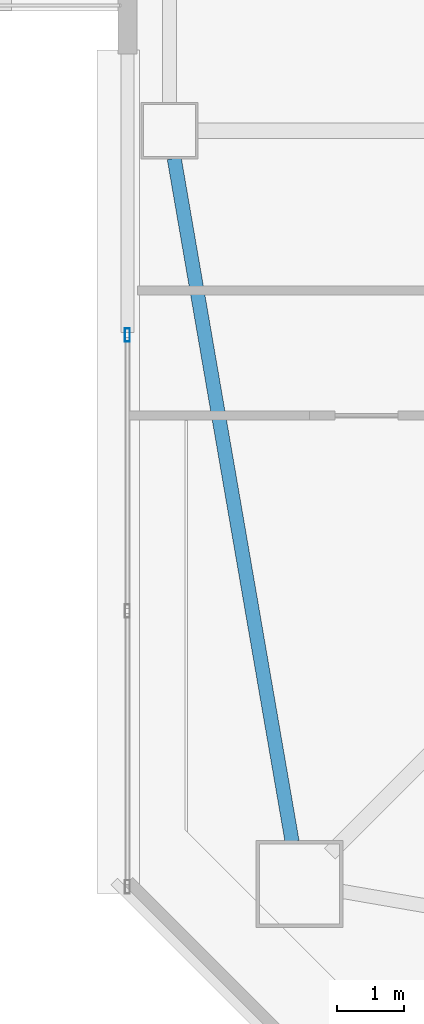
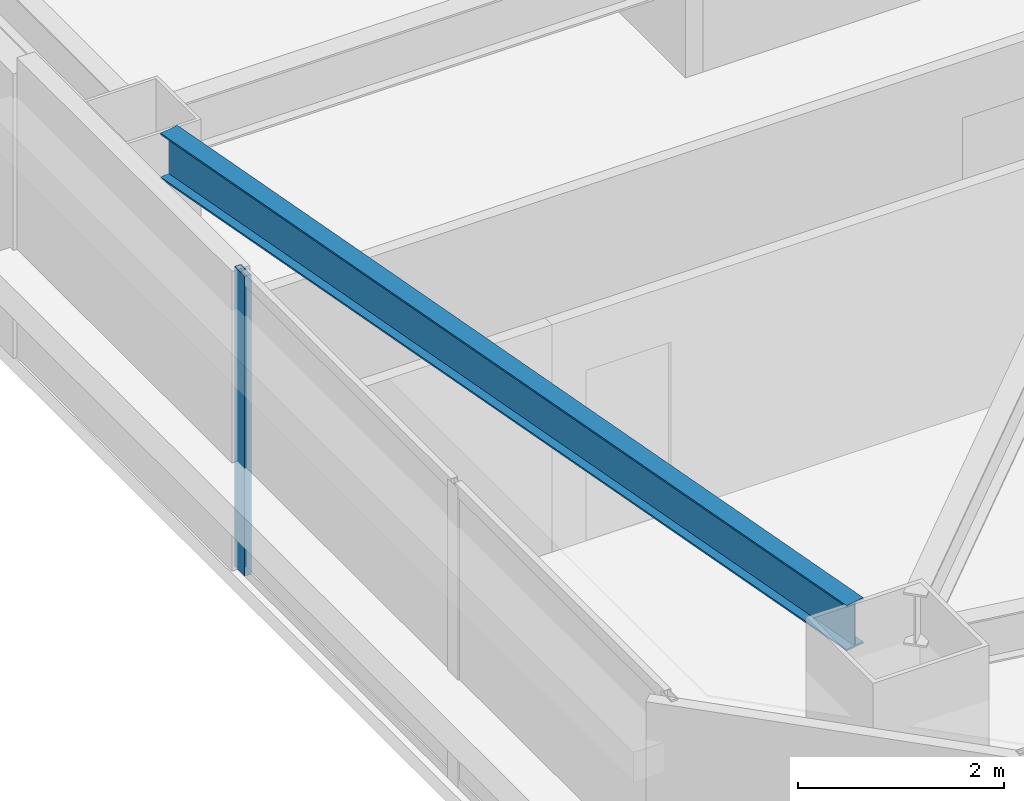
# One storey, part 4 of 44: 1 beam, 1 member, 1 element without a shape of its own.
"""IFC4 building model written with IfcOpenShell, lengths in metres."""

from ifc_helpers import new_model, si_unit, direction, frame, origin, origin_2d, place, context, subcontext, project, spatial, hollow_rectangle, i_section, extrude, material, material_profile, profile_set, type_object, element, aggregate, save


model = new_model("IFC4")

# Units and contexts
model_context = context("Model", 3, precision=1e-05, world=origin(), true_north=direction((0.0, 1.0)))
body_context = subcontext(model_context, "Body", "Model", "MODEL_VIEW")
ifc_project = project(units=[si_unit("LENGTHUNIT", "METRE"), si_unit("AREAUNIT", "SQUARE_METRE"), si_unit("VOLUMEUNIT", "CUBIC_METRE"), si_unit("PLANEANGLEUNIT", "RADIAN"), si_unit("MASSUNIT", "GRAM", prefix="KILO")], contexts=[model_context])

# Site, building, storey
site_placement = place(None, origin())
site = spatial("IfcSite", under=ifc_project, at=site_placement, CompositionType="ELEMENT")
building_placement = place(site_placement, origin())
building = spatial("IfcBuilding", under=site, at=building_placement, Name="Tashvorn Skyway Center", CompositionType="ELEMENT")
storey_placement = place(building_placement, frame((0.0, 0.0, 128.60009765625)))
storey = spatial("IfcBuildingStorey", under=building, at=storey_placement, Name="L34", CompositionType="ELEMENT", Elevation=128.60009765625)

# Beam
ifc_material_1 = material(Name="Steel ASTM A992 Grade 50", Category="steel")
ifc_material_profile_1 = material_profile(ifc_material_1, i_section(OverallWidth=0.2109375, OverallDepth=0.5390625, WebThickness=0.01171875, FlangeThickness=0.018798828125, at=origin_2d()), Name="W21X73")
ifc_profile_set_1 = profile_set([ifc_material_profile_1], Name="Steel ASTM A992 Grade 50")
beam_type = type_object("IfcBeamType", Name="BM-SPANDREL-W21X73", PredefinedType="SPANDREL", material=ifc_profile_set_1)
beam_placement = place(storey_placement, frame((23.42138671875, 26.18603515625, 3.100341796875), z_axis=(0.170067250846, -0.985432458462, 0.0), x_axis=(0.985432458462, 0.170067250846, 0.0)))
element("IfcBeam", 1, at=beam_placement, inside=storey, type_object=beam_type, Name="Tower 1 L34 Spandrel Beam 12", PredefinedType="SPANDREL", context=body_context, shape_type="SweptSolid", body=[
    extrude(i_section(OverallWidth=0.2109375, OverallDepth=0.5390625, WebThickness=0.01171875, FlangeThickness=0.018798828125, at=origin_2d()), origin(), (0.0, 0.0, 1.0), 10.402099609375),
])

# Curtain wall, member
ifc_material_2 = material(Name="Thermally broken bronze-anodized aluminium 6063-T6", Category="aluminium")
curtain_wall_type = type_object("IfcCurtainWallType", Name="CW-CW-Z3", PredefinedType="NOTDEFINED", material=ifc_material_2)
curtain_wall_placement = place(storey_placement, origin())
curtain_wall = element("IfcCurtainWall", 2, at=curtain_wall_placement, inside=storey, type_object=curtain_wall_type, Name="Tower 1 L34 West Curtain Wall L Glazing Group 1", PredefinedType="NOTDEFINED")
ifc_material_profile_2 = material_profile(ifc_material_2, hollow_rectangle(XDim=0.074951171875, YDim=0.199951171875, WallThickness=0.00439453125, at=origin_2d()), Name="ALU-MULL-75x200")
ifc_profile_set_2 = profile_set([ifc_material_profile_2], Name="Thermally broken bronze-anodized aluminium 6063-T6")
member_type = type_object("IfcMemberType", Name="CWM-CW-Z3", PredefinedType="MULLION", material=ifc_profile_set_2)
member_placement = place(storey_placement, frame((22.719970703125, 23.535888671875, 0.0), z_axis=(0.0, 0.0, 1.0), x_axis=(-1.0, 0.0, 0.0)))
member = element("IfcMember", 3, at=member_placement, type_object=member_type, Name="CW-Z3 mullion 3", PredefinedType="MULLION", context=body_context, shape_type="SweptSolid", body=[
    extrude(hollow_rectangle(XDim=0.074951171875, YDim=0.199951171875, WallThickness=0.00439453125, at=origin_2d()), origin(), (0.0, 0.0, 1.0), 3.5498046875),
])
aggregate(curtain_wall, [member])

save(model, "model.ifc")
